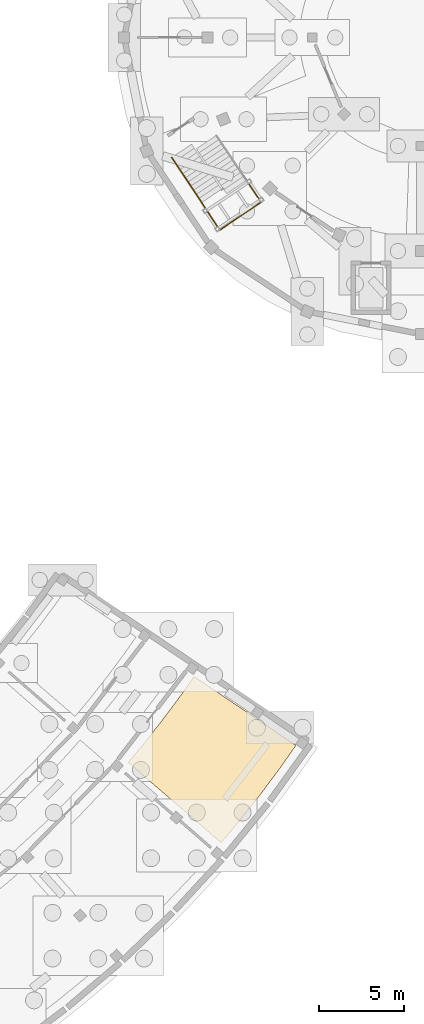
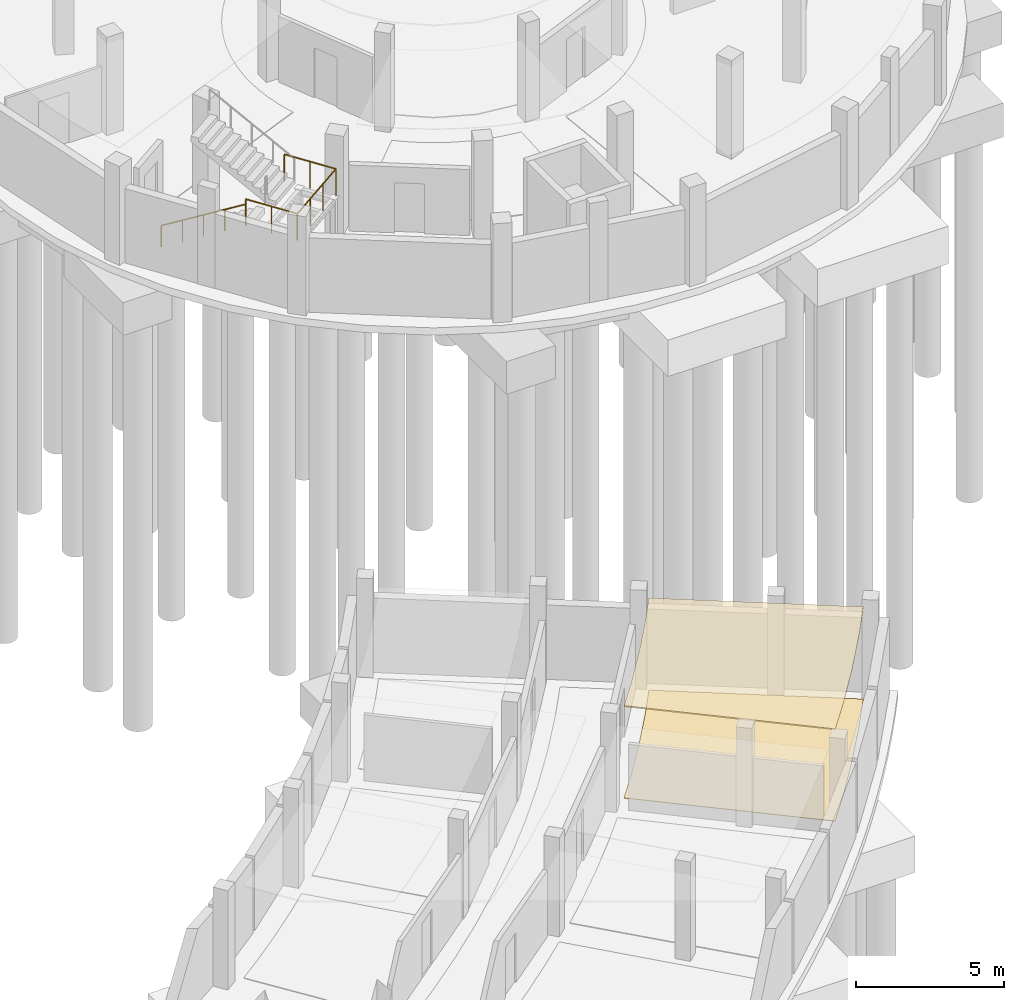
# One storey, part 55 of 58: 2 coverings, 2 railings.
"""IFC4 building model written with IfcOpenShell, lengths in metres."""

from ifc_helpers import new_model, si_unit, direction, frame, origin, origin_2d, place, context, subcontext, project, spatial, polyline, circle, outline, extrude, material, layer, layer_set, type_object, element, save


model = new_model("IFC4")

# Units and contexts
model_context = context("Model", 3, precision=1e-05, world=origin(), true_north=direction((0.0, 1.0)))
body_context = subcontext(model_context, "Body", "Model", "MODEL_VIEW")
ifc_project = project(units=[si_unit("LENGTHUNIT", "METRE"), si_unit("AREAUNIT", "SQUARE_METRE"), si_unit("VOLUMEUNIT", "CUBIC_METRE"), si_unit("PLANEANGLEUNIT", "RADIAN"), si_unit("MASSUNIT", "GRAM", prefix="KILO")], contexts=[model_context])

# Site, building, storey
site_placement = place(None, origin())
site = spatial("IfcSite", under=ifc_project, at=site_placement, CompositionType="ELEMENT")
building_placement = place(site_placement, origin())
building = spatial("IfcBuilding", under=site, at=building_placement, Name="Caldaven Crescent School", CompositionType="ELEMENT")
storey_placement = place(building_placement, frame((0.0, 0.0, -4.080078125)))
storey = spatial("IfcBuildingStorey", under=building, at=storey_placement, Name="B1", CompositionType="ELEMENT", Elevation=-4.080078125)

# Coverings
ifc_material_1 = material(Name="Perforated Pino Radiata acoustic timber baffle ceiling", Category="wood")
ifc_layer_1 = layer(ifc_material_1, 0.053955078125)
ifc_layer_set_1 = layer_set([ifc_layer_1], Name="Perforated Pino Radiata acoustic timber baffle ceiling")
covering_type_1 = type_object("IfcCoveringType", Name="COV-CLG4", PredefinedType="CEILING", material=ifc_layer_set_1)
covering_1_placement = place(storey_placement, frame((0.0, 0.0, 3.76611328125)))
element("IfcCovering", 1, at=covering_1_placement, inside=storey, type_object=covering_type_1, Name="CLG-B1-087", PredefinedType="CEILING", context=body_context, shape_type="SweptSolid", body=[
    extrude(outline(polyline([(136.107421875, 56.778076171875), (136.11572265625, 56.788330078125), (137.2392578125, 58.208984375), (137.247314453125, 58.219482421875), (138.328857421875, 59.672607421875), (138.33642578125, 59.68310546875), (139.12060546875, 60.80419921875), (145.1298828125, 56.730712890625), (144.2197265625, 55.429443359375), (143.003173828125, 53.794677734375), (141.739013671875, 52.1962890625), (140.7177734375, 50.980224609375), (135.227783203125, 55.730712890625), (136.107421875, 56.778076171875)])), origin(), (0.0, 0.0, 1.0), 0.053955078125),
])
ifc_material_2 = material(Name="Polished terrazzo and acoustic linoleum flooring")
ifc_layer_2 = layer(ifc_material_2, 0.02001953125)
ifc_layer_set_2 = layer_set([ifc_layer_2], Name="Polished terrazzo and acoustic linoleum flooring")
covering_type_2 = type_object("IfcCoveringType", Name="COV-FLR1", PredefinedType="FLOORING", material=ifc_layer_set_2)
covering_2_placement = place(storey_placement, origin())
element("IfcCovering", 2, at=covering_2_placement, inside=storey, type_object=covering_type_2, Name="FLR-B1-087", PredefinedType="FLOORING", context=body_context, shape_type="SweptSolid", body=[
    extrude(outline(polyline([(135.227783203125, 55.730712890625), (136.107421875, 56.778076171875), (136.11572265625, 56.788330078125), (137.2392578125, 58.208984375), (137.247314453125, 58.219482421875), (138.328857421875, 59.672607421875), (138.33642578125, 59.68310546875), (139.12060546875, 60.80419921875), (145.1298828125, 56.730712890625), (144.2197265625, 55.429443359375), (143.003173828125, 53.794677734375), (141.739013671875, 52.1962890625), (140.7177734375, 50.980224609375), (135.227783203125, 55.730712890625)])), origin(), (0.0, 0.0, 1.0), 0.02001953125),
])

# Railings
ifc_material_3 = material(Name="Brushed stainless-steel continuous tubular handrail", Category="steel")
railing_type_1 = type_object("IfcRailingType", Name="RAL-HR2", PredefinedType="HANDRAIL", material=ifc_material_3)
railing_1_placement = place(storey_placement, frame((137.801025390625, 91.42041015625, 0.173095703125)))
element("IfcRailing", 3, at=railing_1_placement, inside=storey, type_object=railing_type_1, Name="HR-STB5-B1-F1", PredefinedType="HANDRAIL", context=body_context, shape_type="SweptSolid", body=[
    extrude(circle(Radius=0.02392578125, at=origin_2d()), frame((0.0, 0.0, 0.8759765625), z_axis=(0.479290870467, -0.71731864124, 0.505701718819), x_axis=(0.831472890433, 0.555565326919, 0.0)), (0.0, 0.0, 1.0), 3.697509765625),
    extrude(circle(Radius=0.02099609375, at=origin_2d()), origin(), (0.0, 0.0, 1.0), 0.851806640625),
    extrude(circle(Radius=0.02099609375, at=origin_2d()), frame((0.443115234375, -0.6630859375, 0.467529296875)), (0.0, 0.0, 1.0), 0.851806640625),
    extrude(circle(Radius=0.02099609375, at=origin_2d()), frame((0.88623046875, -1.326171875, 0.93505859375)), (0.0, 0.0, 1.0), 0.851806640625),
    extrude(circle(Radius=0.02099609375, at=origin_2d()), frame((1.3291015625, -1.9892578125, 1.40234375)), (0.0, 0.0, 1.0), 0.851806640625),
    extrude(circle(Radius=0.02099609375, at=origin_2d()), frame((1.772216796875, -2.65234375, 1.869873046875)), (0.0, 0.0, 1.0), 0.851806640625),
])
ifc_material_4 = material(Name="Powder-coated tubular steel balustrade ASTM A572 Grade 50", Category="steel")
railing_type_2 = type_object("IfcRailingType", Name="RAL-INT2", PredefinedType="BALUSTRADE", material=ifc_material_4)
railing_2_placement = place(storey_placement, frame((139.560791015625, 88.759765625, 2.0400390625)))
element("IfcRailing", 4, at=railing_2_placement, inside=storey, type_object=railing_type_2, Name="GD-LND-STB5-B1", PredefinedType="BALUSTRADE", context=body_context, shape_type="SweptSolid", body=[
    extrude(circle(Radius=0.02392578125, at=origin_2d()), frame((0.0, 0.0, 1.09619140625), z_axis=(0.555513132357, -0.83150776291, 0.0), x_axis=(0.83150776291, 0.555513132357, 0.0)), (0.0, 0.0, 1.0), 1.93994140625),
    extrude(circle(Radius=0.02392578125, at=origin_2d()), frame((1.07763671875, -1.613037109375, 1.09619140625), z_axis=(0.831487744621, 0.555543095128, 0.0), x_axis=(-0.555543095128, 0.831487744621, 0.0)), (0.0, 0.0, 1.0), 2.93994140625),
    extrude(circle(Radius=0.02392578125, at=origin_2d()), frame((3.522216796875, 0.020263671875, 1.09619140625), z_axis=(-0.555600138331, 0.831449629434, 0.0), x_axis=(-0.831449629434, -0.555600138331, 0.0)), (0.0, 0.0, 1.0), 1.93994140625),
    extrude(circle(Radius=0.02099609375, at=origin_2d()), origin(), (0.0, 0.0, 1.0), 1.072021484375),
    extrude(circle(Radius=0.02099609375, at=origin_2d()), frame((0.538818359375, -0.806640625, 0.0)), (0.0, 0.0, 1.0), 1.072021484375),
    extrude(circle(Radius=0.02099609375, at=origin_2d()), frame((1.07763671875, -1.613037109375, 0.0)), (0.0, 0.0, 1.0), 1.072021484375),
    extrude(circle(Radius=0.02099609375, at=origin_2d()), frame((1.892578125, -1.068603515625, 0.0)), (0.0, 0.0, 1.0), 1.072021484375),
    extrude(circle(Radius=0.02099609375, at=origin_2d()), frame((2.707275390625, -0.524169921875, 0.0)), (0.0, 0.0, 1.0), 1.072021484375),
    extrude(circle(Radius=0.02099609375, at=origin_2d()), frame((3.522216796875, 0.020263671875, 0.0)), (0.0, 0.0, 1.0), 1.072021484375),
    extrude(circle(Radius=0.02099609375, at=origin_2d()), frame((2.9833984375, 0.82666015625, 0.0)), (0.0, 0.0, 1.0), 1.072021484375),
    extrude(circle(Radius=0.02099609375, at=origin_2d()), frame((2.4443359375, 1.63330078125, 0.0)), (0.0, 0.0, 1.0), 1.072021484375),
])

save(model, "model.ifc")
